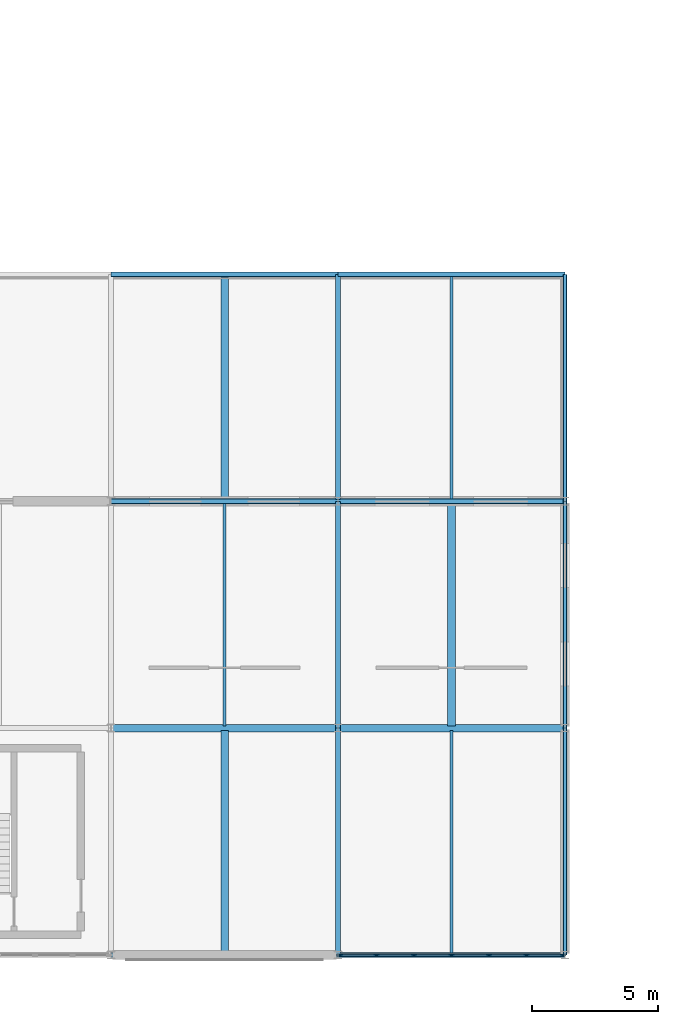
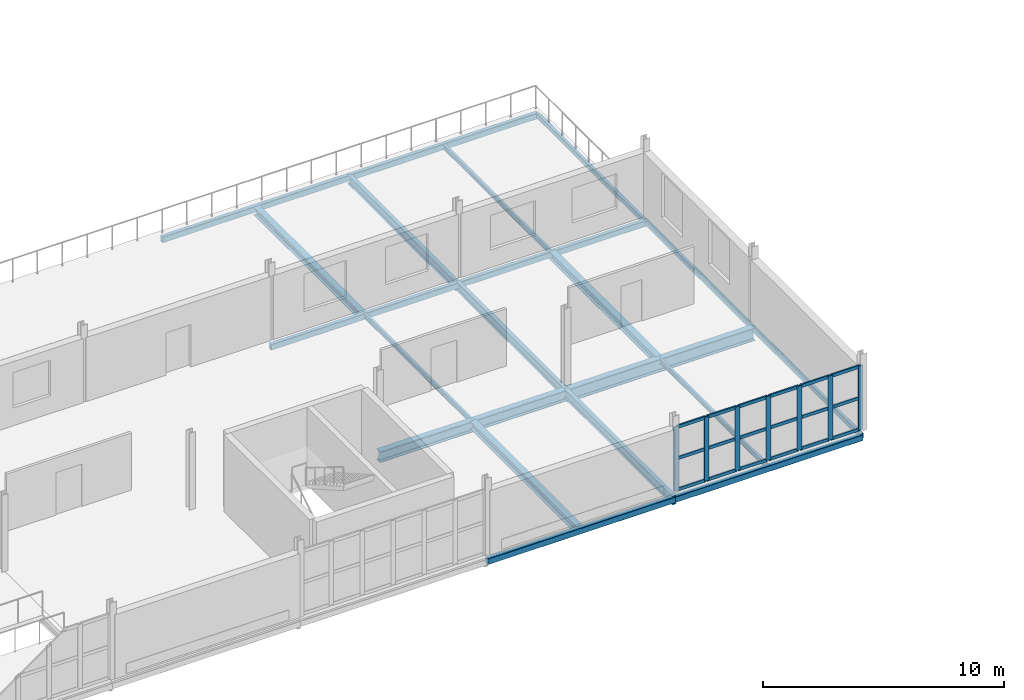
# One storey, part 31 of 123: 25 members, 20 beams, 1 element without a shape of its own.
"""IFC4 building model written with IfcOpenShell, lengths in metres."""

from ifc_helpers import new_model, si_unit, direction, frame, origin, origin_2d, place, context, subcontext, project, spatial, rectangle, hollow_rectangle, i_section, extrude, material, material_profile, profile_set, type_object, element, aggregate, save


model = new_model("IFC4")

# Units and contexts
model_context = context("Model", 3, precision=1e-05, world=origin(), true_north=direction((0.0, 1.0)))
body_context = subcontext(model_context, "Body", "Model", "MODEL_VIEW")
ifc_project = project(units=[si_unit("LENGTHUNIT", "METRE"), si_unit("AREAUNIT", "SQUARE_METRE"), si_unit("VOLUMEUNIT", "CUBIC_METRE"), si_unit("PLANEANGLEUNIT", "RADIAN"), si_unit("MASSUNIT", "GRAM", prefix="KILO")], contexts=[model_context])

# Site, building, storey
site_placement = place(None, origin())
site = spatial("IfcSite", under=ifc_project, at=site_placement, CompositionType="ELEMENT")
building_placement = place(site_placement, origin())
building = spatial("IfcBuilding", under=site, at=building_placement, Name="Kildeholm Park Wholesale Market", CompositionType="ELEMENT")
storey_placement = place(building_placement, frame((0.0, 0.0, 9.60009765625)))
storey = spatial("IfcBuildingStorey", under=building, at=storey_placement, Name="L02", CompositionType="ELEMENT", Elevation=9.60009765625)

# Beams
ifc_material_1 = material(Name="Steel S355", Category="steel")
ifc_material_profile_1 = material_profile(ifc_material_1, i_section(OverallWidth=0.18994140625, OverallDepth=0.449951171875, WebThickness=0.009521484375, FlangeThickness=0.0146484375, FilletRadius=0.02099609375, at=origin_2d()), Name="IPE 450")
ifc_profile_set_1 = profile_set([ifc_material_profile_1], Name="Steel S355")
beam_type_1 = type_object("IfcBeamType", Name="Beam B-P02 IPE 450", PredefinedType="BEAM", material=ifc_profile_set_1)
for number, where, z_axis, x_axis, name in (
    (1, (72.0, 18.0, -0.51513671875), (0.0, 1.0, 0.0), (-1.0, 0.0, 0.0), "Beam BM-V5W-L02-Y-072-018 BM-1373"),
    (2, (72.0, 0.0, -0.465087890625), (0.0, 1.0, 0.0), (-1.0, 0.0, 0.0), "Beam BM-V5W-L02-Y-072-000 BM-1417"),
    (3, (72.0, 9.0, -0.465087890625), (0.0, 1.0, 0.0), (-1.0, 0.0, 0.0), "Beam BM-V5W-L02-Y-072-009 BM-1420"),
):
    element("IfcBeam", number, at=place(storey_placement, frame(where, z_axis=z_axis, x_axis=x_axis)), inside=storey, type_object=beam_type_1, Name=name, PredefinedType="BEAM", context=body_context, shape_type="SweptSolid", body=[
        extrude(i_section(OverallWidth=0.18994140625, OverallDepth=0.449951171875, WebThickness=0.009521484375, FlangeThickness=0.0146484375, FilletRadius=0.02099609375, at=origin_2d()), origin(), (0.0, 0.0, 1.0), 9.0),
    ])
ifc_material_profile_2 = material_profile(ifc_material_1, i_section(OverallWidth=0.300048828125, OverallDepth=0.550048828125, WebThickness=0.014892578125, FlangeThickness=0.029052734375, FilletRadius=0.027099609375, at=origin_2d()), Name="HEB 550")
ifc_profile_set_2 = profile_set([ifc_material_profile_2], Name="Steel S355")
beam_type_2 = type_object("IfcBeamType", Name="Beam B-X03 HEB 550", PredefinedType="BEAM", material=ifc_profile_set_2)
beam_1_placement = place(storey_placement, frame((63.0, 9.0, -0.51904296875), z_axis=(1.0, 0.0, 0.0), x_axis=(0.0, 1.0, 0.0)))
element("IfcBeam", 4, at=beam_1_placement, inside=storey, type_object=beam_type_2, Name="Beam BM-V5W-L02-X-063-009 BM-1413", PredefinedType="BEAM", context=body_context, shape_type="SweptSolid", body=[
    extrude(i_section(OverallWidth=0.300048828125, OverallDepth=0.550048828125, WebThickness=0.014892578125, FlangeThickness=0.029052734375, FilletRadius=0.027099609375, at=origin_2d()), origin(), (0.0, 0.0, 1.0), 9.0),
])
ifc_material_profile_3 = material_profile(ifc_material_1, i_section(OverallWidth=0.300048828125, OverallDepth=0.64990234375, WebThickness=0.01611328125, FlangeThickness=0.031005859375, FilletRadius=0.027099609375, at=origin_2d()), Name="HEB 650")
ifc_profile_set_3 = profile_set([ifc_material_profile_3], Name="Steel S355")
beam_type_3 = type_object("IfcBeamType", Name="Beam B-X04 HEB 650", PredefinedType="BEAM", material=ifc_profile_set_3)
beam_2_placement = place(storey_placement, frame((72.0, 9.0, -0.565185546875), z_axis=(1.0, 0.0, 0.0), x_axis=(0.0, 1.0, 0.0)))
element("IfcBeam", 5, at=beam_2_placement, inside=storey, type_object=beam_type_3, Name="Beam BM-V5W-L02-X-072-009 BM-1419", PredefinedType="BEAM", context=body_context, shape_type="SweptSolid", body=[
    extrude(i_section(OverallWidth=0.300048828125, OverallDepth=0.64990234375, WebThickness=0.01611328125, FlangeThickness=0.031005859375, FilletRadius=0.027099609375, at=origin_2d()), origin(), (0.0, 0.0, 1.0), 9.0),
])
ifc_material_profile_4 = material_profile(ifc_material_1, i_section(OverallWidth=0.1201171875, OverallDepth=0.239990234375, WebThickness=0.006103515625, FlangeThickness=0.009765625, FilletRadius=0.014892578125, at=origin_2d()), Name="IPE 240")
ifc_profile_set_4 = profile_set([ifc_material_profile_4], Name="Steel S355")
beam_type_4 = type_object("IfcBeamType", Name="Beam J-01 IPE 240", PredefinedType="JOIST", material=ifc_profile_set_4)
for number, where, z_axis, x_axis, name in (
    (6, (76.5, 18.0849609375, -0.41015625), (0.0, 1.0, 0.0), (-1.0, 0.0, 0.0), "Beam JT-V5W-L02-072-018 BM-1374"),
    (7, (67.5, 9.0849609375, -0.360107421875), (0.0, 1.0, 0.0), (-1.0, 0.0, 0.0), "Beam JT-V5W-L02-063-009 BM-1415"),
    (8, (76.5, 0.0849609375, -0.360107421875), (0.0, 1.0, 0.0), (-1.0, 0.0, 0.0), "Beam JT-V5W-L02-072-000 BM-1418"),
):
    element("IfcBeam", number, at=place(storey_placement, frame(where, z_axis=z_axis, x_axis=x_axis)), inside=storey, type_object=beam_type_4, Name=name, PredefinedType="JOIST", context=body_context, shape_type="SweptSolid", body=[
        extrude(i_section(OverallWidth=0.1201171875, OverallDepth=0.239990234375, WebThickness=0.006103515625, FlangeThickness=0.009765625, FilletRadius=0.014892578125, at=origin_2d()), origin(), (0.0, 0.0, 1.0), 8.830078125),
    ])
ifc_material_profile_5 = material_profile(ifc_material_1, i_section(OverallWidth=0.300048828125, OverallDepth=0.389892578125, WebThickness=0.010986328125, FlangeThickness=0.01904296875, FilletRadius=0.027099609375, at=origin_2d()), Name="HEA 400")
ifc_profile_set_5 = profile_set([ifc_material_profile_5], Name="Steel S355")
beam_type_5 = type_object("IfcBeamType", Name="Beam J-06 HEA 400", PredefinedType="JOIST", material=ifc_profile_set_5)
for number, where, z_axis, x_axis, name in (
    (9, (67.5, 18.0849609375, -0.485107421875), (0.0, 1.0, 0.0), (-1.0, 0.0, 0.0), "Beam JT-V5W-L02-063-018 BM-1370"),
    (10, (67.5, 0.0849609375, -0.43505859375), (0.0, 1.0, 0.0), (-1.0, 0.0, 0.0), "Beam JT-V5W-L02-063-000 BM-1412"),
    (11, (76.5, 9.0849609375, -0.43505859375), (0.0, 1.0, 0.0), (-1.0, 0.0, 0.0), "Beam JT-V5W-L02-072-009 BM-1421"),
):
    element("IfcBeam", number, at=place(storey_placement, frame(where, z_axis=z_axis, x_axis=x_axis)), inside=storey, type_object=beam_type_5, Name=name, PredefinedType="JOIST", context=body_context, shape_type="SweptSolid", body=[
        extrude(i_section(OverallWidth=0.300048828125, OverallDepth=0.389892578125, WebThickness=0.010986328125, FlangeThickness=0.01904296875, FilletRadius=0.027099609375, at=origin_2d()), origin(), (0.0, 0.0, 1.0), 8.830078125),
    ])
ifc_material_profile_6 = material_profile(ifc_material_1, hollow_rectangle(XDim=0.199951171875, YDim=0.300048828125, WallThickness=0.012451171875, InnerFilletRadius=0.012451171875, OuterFilletRadius=0.02490234375, at=origin_2d()), Name="RHS 300x200x12.5")
ifc_profile_set_6 = profile_set([ifc_material_profile_6], Name="Steel S355")
beam_type_6 = type_object("IfcBeamType", Name="Beam SP-01 RHS 300x200x12.5", PredefinedType="SPANDREL", material=ifc_profile_set_6)
for number, where, z_axis, x_axis, name in (
    (12, (63.0, 18.0, -0.440185546875), (1.0, 0.0, 0.0), (0.0, 1.0, 0.0), "Beam BM-V5W-L02-X-063-018 BM-1368"),
    (13, (63.0, 27.0, -0.440185546875), (1.0, 0.0, 0.0), (0.0, 1.0, 0.0), "Beam BM-V5W-L02-X-063-027 BM-1371"),
    (14, (72.0, 18.0, -0.440185546875), (1.0, 0.0, 0.0), (0.0, 1.0, 0.0), "Beam BM-V5W-L02-X-072-018 BM-1372"),
    (15, (72.0, 27.0, -0.440185546875), (1.0, 0.0, 0.0), (0.0, 1.0, 0.0), "Beam BM-V5W-L02-X-072-027 BM-1375"),
    (16, (63.0, 0.0, -0.39404296875), (1.0, 0.0, 0.0), (0.0, 1.0, 0.0), "Beam BM-V5W-L02-X-063-000 BM-1410"),
    (17, (72.0, 0.0, -0.39404296875), (1.0, 0.0, 0.0), (0.0, 1.0, 0.0), "Beam BM-V5W-L02-X-072-000 BM-1416"),
):
    element("IfcBeam", number, at=place(storey_placement, frame(where, z_axis=z_axis, x_axis=x_axis)), inside=storey, type_object=beam_type_6, Name=name, PredefinedType="SPANDREL", context=body_context, shape_type="SweptSolid", body=[
        extrude(hollow_rectangle(XDim=0.199951171875, YDim=0.300048828125, WallThickness=0.012451171875, InnerFilletRadius=0.012451171875, OuterFilletRadius=0.02490234375, at=origin_2d()), origin(), (0.0, 0.0, 1.0), 9.0),
    ])
ifc_material_profile_7 = material_profile(ifc_material_1, hollow_rectangle(XDim=0.14990234375, YDim=0.25, WallThickness=0.010009765625, InnerFilletRadius=0.010009765625, OuterFilletRadius=0.02001953125, at=origin_2d()), Name="RHS 250x150x10")
ifc_profile_set_7 = profile_set([ifc_material_profile_7], Name="Steel S355")
beam_type_7 = type_object("IfcBeamType", Name="Beam SP-02 RHS 250x150x10", PredefinedType="SPANDREL", material=ifc_profile_set_7)
for number, where, z_axis, x_axis, name in (
    (18, (81.0, 18.0, -0.4150390625), (0.0, 1.0, 0.0), (-1.0, 0.0, 0.0), "Beam BM-V5W-L02-Y-081-018 BM-1376"),
    (19, (81.0, 0.0, -0.364990234375), (0.0, 1.0, 0.0), (-1.0, 0.0, 0.0), "Beam BM-V5W-L02-Y-081-000 BM-1422"),
    (20, (81.0, 9.0, -0.364990234375), (0.0, 1.0, 0.0), (-1.0, 0.0, 0.0), "Beam BM-V5W-L02-Y-081-009 BM-1423"),
):
    element("IfcBeam", number, at=place(storey_placement, frame(where, z_axis=z_axis, x_axis=x_axis)), inside=storey, type_object=beam_type_7, Name=name, PredefinedType="SPANDREL", context=body_context, shape_type="SweptSolid", body=[
        extrude(hollow_rectangle(XDim=0.14990234375, YDim=0.25, WallThickness=0.010009765625, InnerFilletRadius=0.010009765625, OuterFilletRadius=0.02001953125, at=origin_2d()), origin(), (0.0, 0.0, 1.0), 9.0),
    ])

# Curtain wall, members
ifc_material_2 = material(Name="Anodised aluminium and low-E double-glazed glass", Category="aluminium")
curtain_wall_type = type_object("IfcCurtainWallType", Name="Park wing thermally broken curtain wall CW-03", PredefinedType="NOTDEFINED", material=ifc_material_2)
curtain_wall_placement = place(storey_placement, origin())
curtain_wall = element("IfcCurtainWall", 21, at=curtain_wall_placement, inside=storey, type_object=curtain_wall_type, Name="Curtain wall CW-V5W-L02-S-08 CW-0150", PredefinedType="NOTDEFINED")
ifc_material_3 = material(Name="Anodised aluminium", Category="aluminium")
ifc_material_profile_8 = material_profile(ifc_material_3, rectangle(XDim=0.074951171875, YDim=0.219970703125, at=origin_2d()), Name="CWM 75x220")
ifc_profile_set_8 = profile_set([ifc_material_profile_8], Name="Anodised aluminium")
member_type_1 = type_object("IfcMemberType", Name="Curtain-wall mullion CWM-2 CWM 75x220", PredefinedType="MULLION", material=ifc_profile_set_8)
member_1_placement = place(storey_placement, frame((72.077392578125, 0.0, 0.0), z_axis=(0.0, 0.0, 1.0), x_axis=(0.0, 1.0, 0.0)))
member_1 = element("IfcMember", 22, at=member_1_placement, type_object=member_type_1, Name="CW-03 mullion 1 MEM-4615", PredefinedType="MULLION", context=body_context, shape_type="SweptSolid", body=[
    extrude(rectangle(XDim=0.074951171875, YDim=0.219970703125, at=origin_2d()), origin(), (0.0, 0.0, 1.0), 3.25),
])
member_2_placement = place(storey_placement, frame((73.526611328125, 0.0, 0.0), z_axis=(0.0, 0.0, 1.0), x_axis=(0.0, 1.0, 0.0)))
member_2 = element("IfcMember", 23, at=member_2_placement, type_object=member_type_1, Name="CW-03 mullion 2 MEM-4616", PredefinedType="MULLION", context=body_context, shape_type="SweptSolid", body=[
    extrude(rectangle(XDim=0.074951171875, YDim=0.219970703125, at=origin_2d()), origin(), (0.0, 0.0, 1.0), 3.25),
])
member_3_placement = place(storey_placement, frame((75.013427734375, 0.0, 0.0), z_axis=(0.0, 0.0, 1.0), x_axis=(0.0, 1.0, 0.0)))
member_3 = element("IfcMember", 24, at=member_3_placement, type_object=member_type_1, Name="CW-03 mullion 3 MEM-4617", PredefinedType="MULLION", context=body_context, shape_type="SweptSolid", body=[
    extrude(rectangle(XDim=0.074951171875, YDim=0.219970703125, at=origin_2d()), origin(), (0.0, 0.0, 1.0), 3.25),
])
member_4_placement = place(storey_placement, frame((76.5, 0.0, 0.0), z_axis=(0.0, 0.0, 1.0), x_axis=(0.0, 1.0, 0.0)))
member_4 = element("IfcMember", 25, at=member_4_placement, type_object=member_type_1, Name="CW-03 mullion 4 MEM-4618", PredefinedType="MULLION", context=body_context, shape_type="SweptSolid", body=[
    extrude(rectangle(XDim=0.074951171875, YDim=0.219970703125, at=origin_2d()), origin(), (0.0, 0.0, 1.0), 3.25),
])
member_5_placement = place(storey_placement, frame((77.986572265625, 0.0, 0.0), z_axis=(0.0, 0.0, 1.0), x_axis=(0.0, 1.0, 0.0)))
member_5 = element("IfcMember", 26, at=member_5_placement, type_object=member_type_1, Name="CW-03 mullion 5 MEM-4619", PredefinedType="MULLION", context=body_context, shape_type="SweptSolid", body=[
    extrude(rectangle(XDim=0.074951171875, YDim=0.219970703125, at=origin_2d()), origin(), (0.0, 0.0, 1.0), 3.25),
])
member_6_placement = place(storey_placement, frame((79.473388671875, 0.0, 0.0), z_axis=(0.0, 0.0, 1.0), x_axis=(0.0, 1.0, 0.0)))
member_6 = element("IfcMember", 27, at=member_6_placement, type_object=member_type_1, Name="CW-03 mullion 6 MEM-4620", PredefinedType="MULLION", context=body_context, shape_type="SweptSolid", body=[
    extrude(rectangle(XDim=0.074951171875, YDim=0.219970703125, at=origin_2d()), origin(), (0.0, 0.0, 1.0), 3.25),
])
member_7_placement = place(storey_placement, frame((80.922607421875, 0.0, 0.0), z_axis=(0.0, 0.0, 1.0), x_axis=(0.0, 1.0, 0.0)))
member_7 = element("IfcMember", 28, at=member_7_placement, type_object=member_type_1, Name="CW-03 mullion 7 MEM-4621", PredefinedType="MULLION", context=body_context, shape_type="SweptSolid", body=[
    extrude(rectangle(XDim=0.074951171875, YDim=0.219970703125, at=origin_2d()), origin(), (0.0, 0.0, 1.0), 3.25),
])
ifc_material_profile_9 = material_profile(ifc_material_3, rectangle(XDim=0.074951171875, YDim=0.159912109375, at=origin_2d()), Name="CWT 75x160")
ifc_profile_set_9 = profile_set([ifc_material_profile_9], Name="Anodised aluminium")
member_type_2 = type_object("IfcMemberType", Name="Curtain-wall transom CWT-2 CWT 75x160", PredefinedType="USERDEFINED", material=ifc_profile_set_9)
member_8_placement = place(storey_placement, frame((72.114990234375, 0.0, 0.037353515625), z_axis=(1.0, 0.0, 0.0), x_axis=(0.0, 1.0, 0.0)))
member_8 = element("IfcMember", 29, at=member_8_placement, type_object=member_type_2, Name="CW-03 transom 1.1 MEM-4622", ObjectType="TRANSOM", PredefinedType="USERDEFINED", context=body_context, shape_type="SweptSolid", body=[
    extrude(rectangle(XDim=0.074951171875, YDim=0.159912109375, at=origin_2d()), origin(), (0.0, 0.0, 1.0), 1.374267578125),
])
member_9_placement = place(storey_placement, frame((72.114990234375, 0.0, 1.625), z_axis=(1.0, 0.0, 0.0), x_axis=(0.0, 1.0, 0.0)))
member_9 = element("IfcMember", 30, at=member_9_placement, type_object=member_type_2, Name="CW-03 transom 1.2 MEM-4623", ObjectType="TRANSOM", PredefinedType="USERDEFINED", context=body_context, shape_type="SweptSolid", body=[
    extrude(rectangle(XDim=0.074951171875, YDim=0.159912109375, at=origin_2d()), origin(), (0.0, 0.0, 1.0), 1.374267578125),
])
member_10_placement = place(storey_placement, frame((72.114990234375, 0.0, 3.21240234375), z_axis=(1.0, 0.0, 0.0), x_axis=(0.0, 1.0, 0.0)))
member_10 = element("IfcMember", 31, at=member_10_placement, type_object=member_type_2, Name="CW-03 transom 1.3 MEM-4624", ObjectType="TRANSOM", PredefinedType="USERDEFINED", context=body_context, shape_type="SweptSolid", body=[
    extrude(rectangle(XDim=0.074951171875, YDim=0.159912109375, at=origin_2d()), origin(), (0.0, 0.0, 1.0), 1.374267578125),
])
member_11_placement = place(storey_placement, frame((73.564208984375, 0.0, 0.037353515625), z_axis=(1.0, 0.0, 0.0), x_axis=(0.0, 1.0, 0.0)))
member_11 = element("IfcMember", 32, at=member_11_placement, type_object=member_type_2, Name="CW-03 transom 2.1 MEM-4625", ObjectType="TRANSOM", PredefinedType="USERDEFINED", context=body_context, shape_type="SweptSolid", body=[
    extrude(rectangle(XDim=0.074951171875, YDim=0.159912109375, at=origin_2d()), origin(), (0.0, 0.0, 1.0), 1.41162109375),
])
member_12_placement = place(storey_placement, frame((73.564208984375, 0.0, 1.625), z_axis=(1.0, 0.0, 0.0), x_axis=(0.0, 1.0, 0.0)))
member_12 = element("IfcMember", 33, at=member_12_placement, type_object=member_type_2, Name="CW-03 transom 2.2 MEM-4626", ObjectType="TRANSOM", PredefinedType="USERDEFINED", context=body_context, shape_type="SweptSolid", body=[
    extrude(rectangle(XDim=0.074951171875, YDim=0.159912109375, at=origin_2d()), origin(), (0.0, 0.0, 1.0), 1.41162109375),
])
member_13_placement = place(storey_placement, frame((73.564208984375, 0.0, 3.21240234375), z_axis=(1.0, 0.0, 0.0), x_axis=(0.0, 1.0, 0.0)))
member_13 = element("IfcMember", 34, at=member_13_placement, type_object=member_type_2, Name="CW-03 transom 2.3 MEM-4627", ObjectType="TRANSOM", PredefinedType="USERDEFINED", context=body_context, shape_type="SweptSolid", body=[
    extrude(rectangle(XDim=0.074951171875, YDim=0.159912109375, at=origin_2d()), origin(), (0.0, 0.0, 1.0), 1.41162109375),
])
member_14_placement = place(storey_placement, frame((75.05078125, 0.0, 0.037353515625), z_axis=(1.0, 0.0, 0.0), x_axis=(0.0, 1.0, 0.0)))
member_14 = element("IfcMember", 35, at=member_14_placement, type_object=member_type_2, Name="CW-03 transom 3.1 MEM-4628", ObjectType="TRANSOM", PredefinedType="USERDEFINED", context=body_context, shape_type="SweptSolid", body=[
    extrude(rectangle(XDim=0.074951171875, YDim=0.159912109375, at=origin_2d()), origin(), (0.0, 0.0, 1.0), 1.41162109375),
])
member_15_placement = place(storey_placement, frame((75.05078125, 0.0, 1.625), z_axis=(1.0, 0.0, 0.0), x_axis=(0.0, 1.0, 0.0)))
member_15 = element("IfcMember", 36, at=member_15_placement, type_object=member_type_2, Name="CW-03 transom 3.2 MEM-4629", ObjectType="TRANSOM", PredefinedType="USERDEFINED", context=body_context, shape_type="SweptSolid", body=[
    extrude(rectangle(XDim=0.074951171875, YDim=0.159912109375, at=origin_2d()), origin(), (0.0, 0.0, 1.0), 1.41162109375),
])
member_16_placement = place(storey_placement, frame((75.05078125, 0.0, 3.21240234375), z_axis=(1.0, 0.0, 0.0), x_axis=(0.0, 1.0, 0.0)))
member_16 = element("IfcMember", 37, at=member_16_placement, type_object=member_type_2, Name="CW-03 transom 3.3 MEM-4630", ObjectType="TRANSOM", PredefinedType="USERDEFINED", context=body_context, shape_type="SweptSolid", body=[
    extrude(rectangle(XDim=0.074951171875, YDim=0.159912109375, at=origin_2d()), origin(), (0.0, 0.0, 1.0), 1.41162109375),
])
member_17_placement = place(storey_placement, frame((76.53759765625, 0.0, 0.037353515625), z_axis=(1.0, 0.0, 0.0), x_axis=(0.0, 1.0, 0.0)))
member_17 = element("IfcMember", 38, at=member_17_placement, type_object=member_type_2, Name="CW-03 transom 4.1 MEM-4631", ObjectType="TRANSOM", PredefinedType="USERDEFINED", context=body_context, shape_type="SweptSolid", body=[
    extrude(rectangle(XDim=0.074951171875, YDim=0.159912109375, at=origin_2d()), origin(), (0.0, 0.0, 1.0), 1.41162109375),
])
member_18_placement = place(storey_placement, frame((76.53759765625, 0.0, 1.625), z_axis=(1.0, 0.0, 0.0), x_axis=(0.0, 1.0, 0.0)))
member_18 = element("IfcMember", 39, at=member_18_placement, type_object=member_type_2, Name="CW-03 transom 4.2 MEM-4632", ObjectType="TRANSOM", PredefinedType="USERDEFINED", context=body_context, shape_type="SweptSolid", body=[
    extrude(rectangle(XDim=0.074951171875, YDim=0.159912109375, at=origin_2d()), origin(), (0.0, 0.0, 1.0), 1.41162109375),
])
member_19_placement = place(storey_placement, frame((76.53759765625, 0.0, 3.21240234375), z_axis=(1.0, 0.0, 0.0), x_axis=(0.0, 1.0, 0.0)))
member_19 = element("IfcMember", 40, at=member_19_placement, type_object=member_type_2, Name="CW-03 transom 4.3 MEM-4633", ObjectType="TRANSOM", PredefinedType="USERDEFINED", context=body_context, shape_type="SweptSolid", body=[
    extrude(rectangle(XDim=0.074951171875, YDim=0.159912109375, at=origin_2d()), origin(), (0.0, 0.0, 1.0), 1.41162109375),
])
member_20_placement = place(storey_placement, frame((78.024169921875, 0.0, 0.037353515625), z_axis=(1.0, 0.0, 0.0), x_axis=(0.0, 1.0, 0.0)))
member_20 = element("IfcMember", 41, at=member_20_placement, type_object=member_type_2, Name="CW-03 transom 5.1 MEM-4634", ObjectType="TRANSOM", PredefinedType="USERDEFINED", context=body_context, shape_type="SweptSolid", body=[
    extrude(rectangle(XDim=0.074951171875, YDim=0.159912109375, at=origin_2d()), origin(), (0.0, 0.0, 1.0), 1.41162109375),
])
member_21_placement = place(storey_placement, frame((78.024169921875, 0.0, 1.625), z_axis=(1.0, 0.0, 0.0), x_axis=(0.0, 1.0, 0.0)))
member_21 = element("IfcMember", 42, at=member_21_placement, type_object=member_type_2, Name="CW-03 transom 5.2 MEM-4635", ObjectType="TRANSOM", PredefinedType="USERDEFINED", context=body_context, shape_type="SweptSolid", body=[
    extrude(rectangle(XDim=0.074951171875, YDim=0.159912109375, at=origin_2d()), origin(), (0.0, 0.0, 1.0), 1.41162109375),
])
member_22_placement = place(storey_placement, frame((78.024169921875, 0.0, 3.21240234375), z_axis=(1.0, 0.0, 0.0), x_axis=(0.0, 1.0, 0.0)))
member_22 = element("IfcMember", 43, at=member_22_placement, type_object=member_type_2, Name="CW-03 transom 5.3 MEM-4636", ObjectType="TRANSOM", PredefinedType="USERDEFINED", context=body_context, shape_type="SweptSolid", body=[
    extrude(rectangle(XDim=0.074951171875, YDim=0.159912109375, at=origin_2d()), origin(), (0.0, 0.0, 1.0), 1.41162109375),
])
member_23_placement = place(storey_placement, frame((79.5107421875, 0.0, 0.037353515625), z_axis=(1.0, 0.0, 0.0), x_axis=(0.0, 1.0, 0.0)))
member_23 = element("IfcMember", 44, at=member_23_placement, type_object=member_type_2, Name="CW-03 transom 6.1 MEM-4637", ObjectType="TRANSOM", PredefinedType="USERDEFINED", context=body_context, shape_type="SweptSolid", body=[
    extrude(rectangle(XDim=0.074951171875, YDim=0.159912109375, at=origin_2d()), origin(), (0.0, 0.0, 1.0), 1.374267578125),
])
member_24_placement = place(storey_placement, frame((79.5107421875, 0.0, 1.625), z_axis=(1.0, 0.0, 0.0), x_axis=(0.0, 1.0, 0.0)))
member_24 = element("IfcMember", 45, at=member_24_placement, type_object=member_type_2, Name="CW-03 transom 6.2 MEM-4638", ObjectType="TRANSOM", PredefinedType="USERDEFINED", context=body_context, shape_type="SweptSolid", body=[
    extrude(rectangle(XDim=0.074951171875, YDim=0.159912109375, at=origin_2d()), origin(), (0.0, 0.0, 1.0), 1.374267578125),
])
member_25_placement = place(storey_placement, frame((79.5107421875, 0.0, 3.21240234375), z_axis=(1.0, 0.0, 0.0), x_axis=(0.0, 1.0, 0.0)))
member_25 = element("IfcMember", 46, at=member_25_placement, type_object=member_type_2, Name="CW-03 transom 6.3 MEM-4639", ObjectType="TRANSOM", PredefinedType="USERDEFINED", context=body_context, shape_type="SweptSolid", body=[
    extrude(rectangle(XDim=0.074951171875, YDim=0.159912109375, at=origin_2d()), origin(), (0.0, 0.0, 1.0), 1.374267578125),
])
aggregate(curtain_wall, [member_1, member_2, member_3, member_4, member_5, member_6, member_7, member_8, member_9, member_10, member_11, member_12, member_13, member_14, member_15, member_16, member_17, member_18, member_19, member_20, member_21, member_22, member_23, member_24, member_25])

save(model, "model.ifc")
